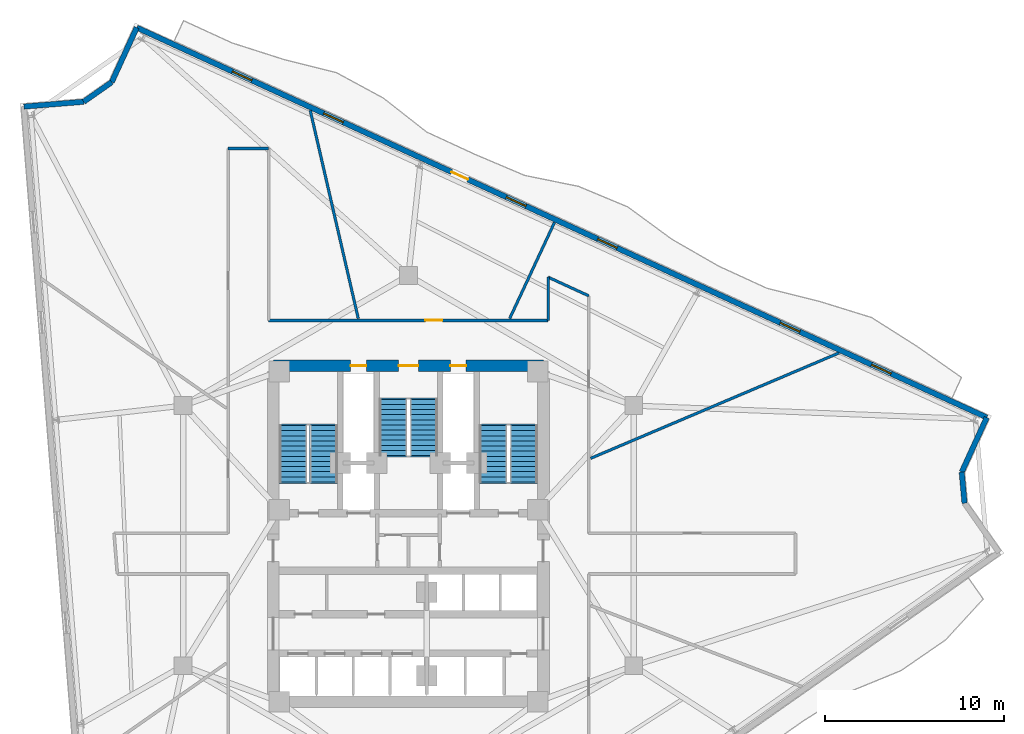
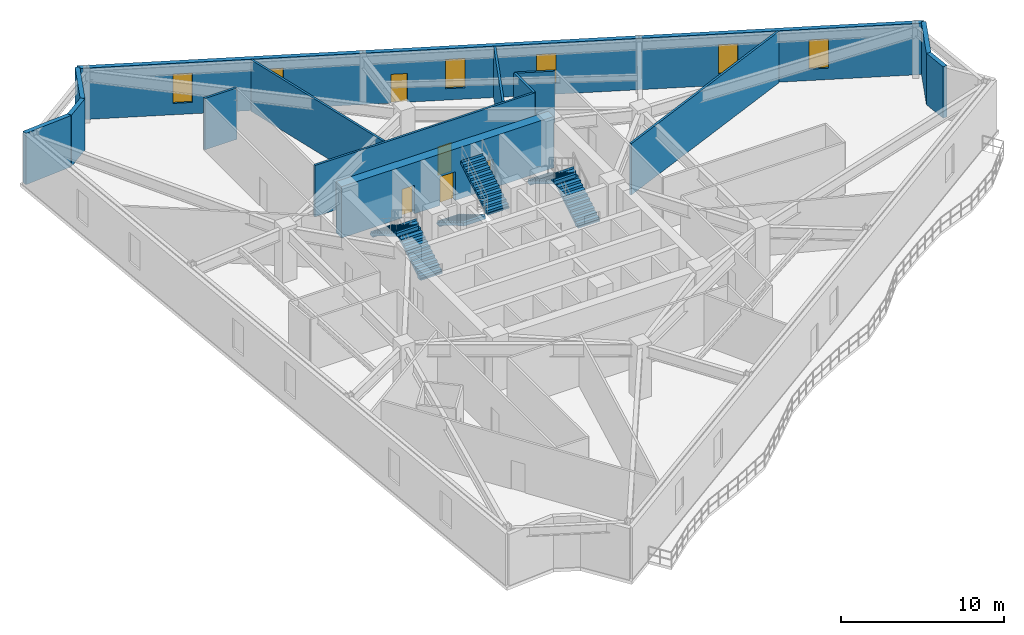
# One storey, part 7 of 10: 14 walls, 6 stair flights, 6 windows, 5 doors, 11 openings, 3 elements without a shape of their own.
"""IFC4 building model written with IfcOpenShell, lengths in metres."""

from ifc_helpers import new_model, si_unit, direction, frame, frame_2d, origin, place, context, subcontext, project, spatial, polyline, rectangle, outline, extrude, material, layer, layer_set, type_object, element, fill, aggregate, save


model = new_model("IFC4")

# Units and contexts
model_context = context("Model", 3, precision=1e-05, world=origin(), true_north=direction((0.0, 1.0)))
body_context = subcontext(model_context, "Body", "Model", "MODEL_VIEW")
ifc_project = project(units=[si_unit("LENGTHUNIT", "METRE"), si_unit("AREAUNIT", "SQUARE_METRE"), si_unit("VOLUMEUNIT", "CUBIC_METRE"), si_unit("PLANEANGLEUNIT", "RADIAN"), si_unit("MASSUNIT", "GRAM", prefix="KILO")], contexts=[model_context])

# Site, building, storey
site_placement = place(None, origin())
site = spatial("IfcSite", under=ifc_project, at=site_placement, CompositionType="ELEMENT")
building_placement = place(site_placement, origin())
building = spatial("IfcBuilding", under=site, at=building_placement, Name="Apsidion Concourse Tower", CompositionType="ELEMENT")
storey_placement = place(building_placement, frame((0.0, 0.0, 210.60009765625)))
storey = spatial("IfcBuildingStorey", under=building, at=storey_placement, Name="L49", CompositionType="ELEMENT", Elevation=210.60009765625)

# Wall, openings, door, windows
ifc_material_1 = material(Name="Precast concrete C40/50", Category="concrete")
ifc_layer_1 = layer(ifc_material_1, 0.300048828125)
ifc_layer_set_1 = layer_set([ifc_layer_1], Name="Precast concrete C40/50")
wall_type_1 = type_object("IfcWallType", Name="WL-EXT-300", PredefinedType="STANDARD", material=ifc_layer_set_1)
wall_1_placement = place(storey_placement, frame((-15.1435546875, 28.32177734375, 0.0), z_axis=(0.0, 0.0, 1.0), x_axis=(0.908932099953, -0.416944166136, 0.0)))
wall_1 = element("IfcWall", 1, at=wall_1_placement, inside=storey, type_object=wall_type_1, Name="L49 Precast Stone Facade Wall 01", PredefinedType="STANDARD", context=body_context, shape_type="SweptSolid", body=[
    extrude(rectangle(XDim=52.127685546875, YDim=0.300048828125, at=frame_2d((26.06396484375, 0.0))), origin(), (0.0, 0.0, 1.0), 3.849853515625),
])
opening_1_placement = place(wall_1_placement, frame((19.30859375, 0.0, 0.0)))
opening_1 = element("IfcOpeningElement", 2, at=opening_1_placement, cuts=wall_1, Name="Opening D-T1L", PredefinedType="OPENING", context=body_context, shape_type="SweptSolid", body=[
    extrude(rectangle(XDim=1.0, YDim=2.14990234375, at=frame_2d((0.5, 1.074951171875))), frame((0.0, 0.16015625, 0.0), z_axis=(0.0, -1.0, 0.0), x_axis=(1.0, 0.0, 0.0)), (0.0, 0.0, 1.0), 0.320068359375),
])
opening_2_placement = place(wall_1_placement, frame((5.864013671875, 0.0, 0.85009765625)))
opening_2 = element("IfcOpeningElement", 3, at=opening_2_placement, cuts=wall_1, Name="Opening WN-06", PredefinedType="OPENING", context=body_context, shape_type="SweptSolid", body=[
    extrude(rectangle(XDim=1.199951171875, YDim=2.199951171875, at=frame_2d((0.60009765625, 1.10009765625))), frame((0.0, 0.16015625, 0.0), z_axis=(0.0, -1.0, 0.0), x_axis=(1.0, 0.0, 0.0)), (0.0, 0.0, 1.0), 0.320068359375),
])
opening_3_placement = place(wall_1_placement, frame((11.4638671875, 0.0, 0.85009765625)))
opening_3 = element("IfcOpeningElement", 4, at=opening_3_placement, cuts=wall_1, Name="Opening WN-06", PredefinedType="OPENING", context=body_context, shape_type="SweptSolid", body=[
    extrude(rectangle(XDim=1.199951171875, YDim=2.199951171875, at=frame_2d((0.60009765625, 1.10009765625))), frame((0.0, 0.16015625, 0.0), z_axis=(0.0, -1.0, 0.0), x_axis=(1.0, 0.0, 0.0)), (0.0, 0.0, 1.0), 0.320068359375),
])
opening_4_placement = place(wall_1_placement, frame((22.663818359375, 0.0, 0.85009765625)))
opening_4 = element("IfcOpeningElement", 5, at=opening_4_placement, cuts=wall_1, Name="Opening WN-06", PredefinedType="OPENING", context=body_context, shape_type="SweptSolid", body=[
    extrude(rectangle(XDim=1.199951171875, YDim=2.199951171875, at=frame_2d((0.60009765625, 1.10009765625))), frame((0.0, 0.16015625, 0.0), z_axis=(0.0, -1.0, 0.0), x_axis=(1.0, 0.0, 0.0)), (0.0, 0.0, 1.0), 0.320068359375),
])
opening_5_placement = place(wall_1_placement, frame((28.263916015625, 0.0, 0.85009765625)))
opening_5 = element("IfcOpeningElement", 6, at=opening_5_placement, cuts=wall_1, Name="Opening WN-06", PredefinedType="OPENING", context=body_context, shape_type="SweptSolid", body=[
    extrude(rectangle(XDim=1.199951171875, YDim=2.199951171875, at=frame_2d((0.60009765625, 1.10009765625))), frame((0.0, 0.16015625, 0.0), z_axis=(0.0, -1.0, 0.0), x_axis=(1.0, 0.0, 0.0)), (0.0, 0.0, 1.0), 0.320068359375),
])
opening_6_placement = place(wall_1_placement, frame((39.4638671875, 0.0, 0.85009765625)))
opening_6 = element("IfcOpeningElement", 7, at=opening_6_placement, cuts=wall_1, Name="Opening WN-06", PredefinedType="OPENING", context=body_context, shape_type="SweptSolid", body=[
    extrude(rectangle(XDim=1.199951171875, YDim=2.199951171875, at=frame_2d((0.60009765625, 1.10009765625))), frame((0.0, 0.16015625, 0.0), z_axis=(0.0, -1.0, 0.0), x_axis=(1.0, 0.0, 0.0)), (0.0, 0.0, 1.0), 0.320068359375),
])
opening_7_placement = place(wall_1_placement, frame((45.06396484375, 0.0, 0.85009765625)))
opening_7 = element("IfcOpeningElement", 8, at=opening_7_placement, cuts=wall_1, Name="Opening WN-06", PredefinedType="OPENING", context=body_context, shape_type="SweptSolid", body=[
    extrude(rectangle(XDim=1.199951171875, YDim=2.199951171875, at=frame_2d((0.60009765625, 1.10009765625))), frame((0.0, 0.16015625, 0.0), z_axis=(0.0, -1.0, 0.0), x_axis=(1.0, 0.0, 0.0)), (0.0, 0.0, 1.0), 0.320068359375),
])
ifc_material_2 = material(Name="Anodised aluminium EN AW-6063 T6", Category="aluminium")
door_type_1 = type_object("IfcDoorType", Name="DR-TER-1022L", OperationType="SINGLE_SWING_LEFT", PredefinedType="DOOR", material=ifc_material_2)
door_1_placement = place(opening_1_placement, origin())
door_1 = element("IfcDoor", 9, at=door_1_placement, inside=storey, type_object=door_type_1, Name="L49 Balcony Access Door 2", OperationType="SINGLE_SWING_LEFT", OverallHeight=2.14990234375, OverallWidth=1.0, PredefinedType="DOOR", context=body_context, shape_type="SweptSolid", body=[
    extrude(rectangle(XDim=1.0, YDim=2.14990234375, at=frame_2d((0.5, 1.074951171875))), frame((0.0, 0.02490234375, 0.0), z_axis=(0.0, -1.0, 0.0), x_axis=(1.0, 0.0, 0.0)), (0.0, 0.0, 1.0), 0.050048828125),
])
fill(opening_1, door_1)
ifc_material_3 = material(Name="Insulated laminated low-E glass", Category="glass")
window_type = type_object("IfcWindowType", Name="WN-OFF-1224", PartitioningType="SINGLE_PANEL", PredefinedType="WINDOW", material=ifc_material_3)
window_1_placement = place(opening_2_placement, origin())
window_1 = element("IfcWindow", 10, at=window_1_placement, inside=storey, type_object=window_type, Name="L49 Punched Facade Window 1-01", OverallHeight=2.199951171875, OverallWidth=1.199951171875, PartitioningType="SINGLE_PANEL", PredefinedType="WINDOW", context=body_context, shape_type="SweptSolid", body=[
    extrude(rectangle(XDim=1.199951171875, YDim=2.199951171875, at=frame_2d((0.60009765625, 1.10009765625))), frame((0.0, 0.030029296875, 0.0), z_axis=(0.0, -1.0, 0.0), x_axis=(1.0, 0.0, 0.0)), (0.0, 0.0, 1.0), 0.06005859375),
])
fill(opening_2, window_1)
window_2_placement = place(opening_3_placement, origin())
window_2 = element("IfcWindow", 11, at=window_2_placement, inside=storey, type_object=window_type, Name="L49 Punched Facade Window 1-02", OverallHeight=2.199951171875, OverallWidth=1.199951171875, PartitioningType="SINGLE_PANEL", PredefinedType="WINDOW", context=body_context, shape_type="SweptSolid", body=[
    extrude(rectangle(XDim=1.199951171875, YDim=2.199951171875, at=frame_2d((0.60009765625, 1.10009765625))), frame((0.0, 0.030029296875, 0.0), z_axis=(0.0, -1.0, 0.0), x_axis=(1.0, 0.0, 0.0)), (0.0, 0.0, 1.0), 0.06005859375),
])
fill(opening_3, window_2)
window_3_placement = place(opening_4_placement, origin())
window_3 = element("IfcWindow", 12, at=window_3_placement, inside=storey, type_object=window_type, Name="L49 Punched Facade Window 1-04", OverallHeight=2.199951171875, OverallWidth=1.199951171875, PartitioningType="SINGLE_PANEL", PredefinedType="WINDOW", context=body_context, shape_type="SweptSolid", body=[
    extrude(rectangle(XDim=1.199951171875, YDim=2.199951171875, at=frame_2d((0.60009765625, 1.10009765625))), frame((0.0, 0.030029296875, 0.0), z_axis=(0.0, -1.0, 0.0), x_axis=(1.0, 0.0, 0.0)), (0.0, 0.0, 1.0), 0.06005859375),
])
fill(opening_4, window_3)
window_4_placement = place(opening_5_placement, origin())
window_4 = element("IfcWindow", 13, at=window_4_placement, inside=storey, type_object=window_type, Name="L49 Punched Facade Window 1-05", OverallHeight=2.199951171875, OverallWidth=1.199951171875, PartitioningType="SINGLE_PANEL", PredefinedType="WINDOW", context=body_context, shape_type="SweptSolid", body=[
    extrude(rectangle(XDim=1.199951171875, YDim=2.199951171875, at=frame_2d((0.60009765625, 1.10009765625))), frame((0.0, 0.030029296875, 0.0), z_axis=(0.0, -1.0, 0.0), x_axis=(1.0, 0.0, 0.0)), (0.0, 0.0, 1.0), 0.06005859375),
])
fill(opening_5, window_4)
window_5_placement = place(opening_6_placement, origin())
window_5 = element("IfcWindow", 14, at=window_5_placement, inside=storey, type_object=window_type, Name="L49 Punched Facade Window 1-07", OverallHeight=2.199951171875, OverallWidth=1.199951171875, PartitioningType="SINGLE_PANEL", PredefinedType="WINDOW", context=body_context, shape_type="SweptSolid", body=[
    extrude(rectangle(XDim=1.199951171875, YDim=2.199951171875, at=frame_2d((0.60009765625, 1.10009765625))), frame((0.0, 0.030029296875, 0.0), z_axis=(0.0, -1.0, 0.0), x_axis=(1.0, 0.0, 0.0)), (0.0, 0.0, 1.0), 0.06005859375),
])
fill(opening_6, window_5)
window_6_placement = place(opening_7_placement, origin())
window_6 = element("IfcWindow", 15, at=window_6_placement, inside=storey, type_object=window_type, Name="L49 Punched Facade Window 1-08", OverallHeight=2.199951171875, OverallWidth=1.199951171875, PartitioningType="SINGLE_PANEL", PredefinedType="WINDOW", context=body_context, shape_type="SweptSolid", body=[
    extrude(rectangle(XDim=1.199951171875, YDim=2.199951171875, at=frame_2d((0.60009765625, 1.10009765625))), frame((0.0, 0.030029296875, 0.0), z_axis=(0.0, -1.0, 0.0), x_axis=(1.0, 0.0, 0.0)), (0.0, 0.0, 1.0), 0.06005859375),
])
fill(opening_7, window_6)

# Walls
wall_2_placement = place(storey_placement, frame((32.237060546875, 6.58740234375, 0.0), z_axis=(0.0, 0.0, 1.0), x_axis=(-0.416956203263, -0.908926578201, 0.0)))
element("IfcWall", 16, at=wall_2_placement, inside=storey, type_object=wall_type_1, Name="L49 Precast Stone Facade Wall 02", PredefinedType="STANDARD", context=body_context, shape_type="SweptSolid", body=[
    extrude(rectangle(XDim=3.345703125, YDim=0.300048828125, at=frame_2d((1.6728515625, 0.0))), origin(), (0.0, 0.0, 1.0), 3.849853515625),
])
wall_3_placement = place(storey_placement, frame((30.842041015625, 3.54638671875, 0.0), z_axis=(0.0, 0.0, 1.0), x_axis=(0.09030850916, -0.995913838228, 0.0)))
element("IfcWall", 17, at=wall_3_placement, inside=storey, type_object=wall_type_1, Name="L49 Precast Stone Facade Wall 03", PredefinedType="STANDARD", context=body_context, shape_type="SweptSolid", body=[
    extrude(rectangle(XDim=1.74365234375, YDim=0.300048828125, at=frame_2d((0.871826171875, 0.0))), origin(), (0.0, 0.0, 1.0), 3.849853515625),
])
wall_4_placement = place(storey_placement, frame((-21.4345703125, 23.9169921875, 0.0), z_axis=(0.0, 0.0, 1.0), x_axis=(0.99672253381, 0.080896171692, 0.0)))
element("IfcWall", 18, at=wall_4_placement, inside=storey, type_object=wall_type_1, Name="L49 Precast Stone Facade Wall 10", PredefinedType="STANDARD", context=body_context, shape_type="SweptSolid", body=[
    extrude(rectangle(XDim=3.346923828125, YDim=0.300048828125, at=frame_2d((1.67333984375, 0.0))), origin(), (0.0, 0.0, 1.0), 3.849853515625),
])
wall_5_placement = place(storey_placement, frame((-18.0986328125, 24.187744140625, 0.0), z_axis=(0.0, 0.0, 1.0), x_axis=(0.819147570989, 0.573582824833, 0.0)))
element("IfcWall", 19, at=wall_5_placement, inside=storey, type_object=wall_type_1, Name="L49 Precast Stone Facade Wall 11", PredefinedType="STANDARD", context=body_context, shape_type="SweptSolid", body=[
    extrude(rectangle(XDim=1.90380859375, YDim=0.300048828125, at=frame_2d((0.951904296875, 0.0))), origin(), (0.0, 0.0, 1.0), 3.849853515625),
])
wall_6_placement = place(storey_placement, frame((-16.5390625, 25.27978515625, 0.0), z_axis=(0.0, 0.0, 1.0), x_axis=(0.416966150663, 0.908922014917, 0.0)))
element("IfcWall", 20, at=wall_6_placement, inside=storey, type_object=wall_type_1, Name="L49 Precast Stone Facade Wall 12", PredefinedType="STANDARD", context=body_context, shape_type="SweptSolid", body=[
    extrude(rectangle(XDim=3.346923828125, YDim=0.300048828125, at=frame_2d((1.67333984375, 0.0))), origin(), (0.0, 0.0, 1.0), 3.849853515625),
])
ifc_material_4 = material(Name="Gypsum plasterboard partition")
ifc_layer_2 = layer(ifc_material_4, 0.14990234375)
ifc_layer_set_2 = layer_set([ifc_layer_2], Name="Gypsum plasterboard partition")
wall_type_2 = type_object("IfcWallType", Name="WL-INT-PAR-150", PredefinedType="PARTITIONING", material=ifc_layer_set_2)
wall_7_placement = place(storey_placement, frame((-10.050048828125, 21.580078125, 0.0), z_axis=(0.0, 0.0, 1.0), x_axis=(1.0, 0.0, 0.0)))
element("IfcWall", 21, at=wall_7_placement, inside=storey, type_object=wall_type_2, Name="L49 Interior Partition WL-L49-CORR-11", PredefinedType="PARTITIONING", context=body_context, shape_type="SweptSolid", body=[
    extrude(rectangle(XDim=2.260009765625, YDim=0.14990234375, at=frame_2d((1.1298828125, 0.0))), origin(), (0.0, 0.0, 1.0), 3.849853515625),
])

# Wall, opening, door
wall_8_placement = place(storey_placement, frame((-7.7900390625, 12.0, 0.0), z_axis=(0.0, 0.0, 1.0), x_axis=(1.0, 0.0, 0.0)))
wall_8 = element("IfcWall", 22, at=wall_8_placement, inside=storey, type_object=wall_type_2, Name="L49 Interior Partition WL-L49-CORR-13", PredefinedType="PARTITIONING", context=body_context, shape_type="SweptSolid", body=[
    extrude(rectangle(XDim=15.580078125, YDim=0.14990234375, at=frame_2d((7.7900390625, 0.0))), origin(), (0.0, 0.0, 1.0), 3.849853515625),
])
opening_8_placement = place(wall_8_placement, frame((8.737548828125, 0.0, 0.0)))
opening_8 = element("IfcOpeningElement", 23, at=opening_8_placement, cuts=wall_8, Name="Opening D-01R", PredefinedType="OPENING", context=body_context, shape_type="SweptSolid", body=[
    extrude(rectangle(XDim=0.949951171875, YDim=2.14990234375, at=frame_2d((0.47509765625, 1.074951171875))), frame((0.0, 0.0849609375, 0.0), z_axis=(0.0, -1.0, 0.0), x_axis=(1.0, 0.0, 0.0)), (0.0, 0.0, 1.0), 0.169921875),
])
ifc_material_5 = material(Name="Brushed stainless steel 316", Category="steel")
door_type_2 = type_object("IfcDoorType", Name="DR-INT-D01R", OperationType="SINGLE_SWING_RIGHT", PredefinedType="DOOR", material=ifc_material_5)
door_2_placement = place(opening_8_placement, origin())
door_2 = element("IfcDoor", 24, at=door_2_placement, inside=storey, type_object=door_type_2, Name="L49 Corridor Entry Door 06", OperationType="SINGLE_SWING_RIGHT", OverallHeight=2.14990234375, OverallWidth=0.949951171875, PredefinedType="DOOR", context=body_context, shape_type="SweptSolid", body=[
    extrude(rectangle(XDim=0.949951171875, YDim=2.14990234375, at=frame_2d((0.47509765625, 1.074951171875))), frame((0.0, 0.02490234375, 0.0), z_axis=(0.0, -1.0, 0.0), x_axis=(1.0, 0.0, 0.0)), (0.0, 0.0, 1.0), 0.050048828125),
])
fill(opening_8, door_2)

# Walls
wall_9_placement = place(storey_placement, frame((7.7900390625, 12.0, 0.0), z_axis=(0.0, 0.0, 1.0), x_axis=(0.0, 1.0, 0.0)))
element("IfcWall", 25, at=wall_9_placement, inside=storey, type_object=wall_type_2, Name="L49 Interior Partition WL-L49-CORR-14", PredefinedType="PARTITIONING", context=body_context, shape_type="SweptSolid", body=[
    extrude(rectangle(XDim=2.40771484375, YDim=0.14990234375, at=frame_2d((1.203857421875, 0.0))), origin(), (0.0, 0.0, 1.0), 3.849853515625),
])
wall_10_placement = place(storey_placement, frame((7.7900390625, 14.40771484375, 0.0), z_axis=(0.0, 0.0, 1.0), x_axis=(0.908908252736, -0.416996148792, 0.0)))
element("IfcWall", 26, at=wall_10_placement, inside=storey, type_object=wall_type_2, Name="L49 Interior Partition WL-L49-CORR-15", PredefinedType="PARTITIONING", context=body_context, shape_type="SweptSolid", body=[
    extrude(rectangle(XDim=2.486572265625, YDim=0.14990234375, at=frame_2d((1.2431640625, 0.0))), origin(), (0.0, 0.0, 1.0), 3.849853515625),
])
wall_11_placement = place(storey_placement, frame((10.155029296875, 4.310546875, 0.0), z_axis=(0.0, 0.0, 1.0), x_axis=(0.920508355485, 0.390722878115, 0.0)))
element("IfcWall", 27, at=wall_11_placement, inside=storey, type_object=wall_type_2, Name="L49 Interior Partition WL-L49-RAD-01-1", PredefinedType="PARTITIONING", context=body_context, shape_type="SweptSolid", body=[
    extrude(rectangle(XDim=15.036865234375, YDim=0.14990234375, at=frame_2d((7.5185546875, 0.0))), origin(), (0.0, 0.0, 1.0), 3.849853515625),
])
wall_12_placement = place(storey_placement, frame((5.644775390625, 12.10498046875, 0.0), z_axis=(0.0, 0.0, 1.0), x_axis=(0.422613952509, 0.906309796452, 0.0)))
element("IfcWall", 28, at=wall_12_placement, inside=storey, type_object=wall_type_2, Name="L49 Interior Partition WL-L49-RAD-02-1", PredefinedType="PARTITIONING", context=body_context, shape_type="SweptSolid", body=[
    extrude(rectangle(XDim=5.907470703125, YDim=0.14990234375, at=frame_2d((2.95361328125, 0.0))), origin(), (0.0, 0.0, 1.0), 3.849853515625),
])
wall_13_placement = place(storey_placement, frame((-2.794677734375, 12.10498046875, 0.0), z_axis=(0.0, 0.0, 1.0), x_axis=(-0.224940388898, 0.974372527036, 0.0)))
element("IfcWall", 29, at=wall_13_placement, inside=storey, type_object=wall_type_2, Name="L49 Interior Partition WL-L49-RAD-03-1", PredefinedType="PARTITIONING", context=body_context, shape_type="SweptSolid", body=[
    extrude(rectangle(XDim=11.904296875, YDim=0.14990234375, at=frame_2d((5.9521484375, 0.0))), origin(), (0.0, 0.0, 1.0), 3.849853515625),
])

# Wall, openings, doors
ifc_material_6 = material(Name="Concrete C50/60", Category="concrete")
ifc_layer_3 = layer(ifc_material_6, 0.64990234375)
ifc_layer_set_3 = layer_set([ifc_layer_3], Name="Concrete C50/60")
wall_type_3 = type_object("IfcWallType", Name="WL-SH-650", PredefinedType="SHEAR", material=ifc_layer_set_3)
wall_14_placement = place(storey_placement, frame((-7.52490234375, 9.47509765625, 0.0), z_axis=(0.0, 0.0, 1.0), x_axis=(1.0, 0.0, 0.0)))
wall_14 = element("IfcWall", 30, at=wall_14_placement, inside=storey, type_object=wall_type_3, Name="L49 Central Core Shear Wall N", PredefinedType="SHEAR", context=body_context, shape_type="SweptSolid", body=[
    extrude(rectangle(XDim=15.0498046875, YDim=0.64990234375, at=frame_2d((7.52490234375, 0.0))), origin(), (0.0, 0.0, 1.0), 3.849853515625),
])
opening_9_placement = place(wall_14_placement, frame((6.97509765625, 0.0, 0.0)))
opening_9 = element("IfcOpeningElement", 31, at=opening_9_placement, cuts=wall_14, Name="Opening D-STL", PredefinedType="OPENING", context=body_context, shape_type="SweptSolid", body=[
    extrude(rectangle(XDim=1.10009765625, YDim=2.14990234375, at=frame_2d((0.550048828125, 1.074951171875))), frame((0.0, 0.3349609375, 0.0), z_axis=(0.0, -1.0, 0.0), x_axis=(1.0, 0.0, 0.0)), (0.0, 0.0, 1.0), 0.669921875),
])
opening_10_placement = place(wall_14_placement, frame((4.304931640625, 0.0, 0.0)))
opening_10 = element("IfcOpeningElement", 32, at=opening_10_placement, cuts=wall_14, Name="Opening D-05L", PredefinedType="OPENING", context=body_context, shape_type="SweptSolid", body=[
    extrude(rectangle(XDim=0.8798828125, YDim=2.14990234375, at=frame_2d((0.43994140625, 1.074951171875))), frame((0.0, 0.3349609375, 0.0), z_axis=(0.0, -1.0, 0.0), x_axis=(1.0, 0.0, 0.0)), (0.0, 0.0, 1.0), 0.669921875),
])
opening_11_placement = place(wall_14_placement, frame((9.864990234375, 0.0, 0.0)))
opening_11 = element("IfcOpeningElement", 33, at=opening_11_placement, cuts=wall_14, Name="Opening D-05R", PredefinedType="OPENING", context=body_context, shape_type="SweptSolid", body=[
    extrude(rectangle(XDim=0.8798828125, YDim=2.14990234375, at=frame_2d((0.43994140625, 1.074951171875))), frame((0.0, 0.3349609375, 0.0), z_axis=(0.0, -1.0, 0.0), x_axis=(1.0, 0.0, 0.0)), (0.0, 0.0, 1.0), 0.669921875),
])
door_type_3 = type_object("IfcDoorType", Name="DR-INT-D05L", OperationType="SINGLE_SWING_LEFT", PredefinedType="DOOR", material=ifc_material_5)
door_3_placement = place(opening_10_placement, origin())
door_3 = element("IfcDoor", 34, at=door_3_placement, inside=storey, type_object=door_type_3, Name="L49 Electrical Riser Shaft Access Door", OperationType="SINGLE_SWING_LEFT", OverallHeight=2.14990234375, OverallWidth=0.8798828125, PredefinedType="DOOR", context=body_context, shape_type="SweptSolid", body=[
    extrude(rectangle(XDim=0.8798828125, YDim=2.14990234375, at=frame_2d((0.43994140625, 1.074951171875))), frame((0.0, 0.02490234375, 0.0), z_axis=(0.0, -1.0, 0.0), x_axis=(1.0, 0.0, 0.0)), (0.0, 0.0, 1.0), 0.050048828125),
])
fill(opening_10, door_3)
door_type_4 = type_object("IfcDoorType", Name="DR-INT-D05R", OperationType="SINGLE_SWING_RIGHT", PredefinedType="DOOR", material=ifc_material_5)
door_4_placement = place(opening_11_placement, origin())
door_4 = element("IfcDoor", 35, at=door_4_placement, inside=storey, type_object=door_type_4, Name="L49 Mechanical Riser Shaft Access Door", OperationType="SINGLE_SWING_RIGHT", OverallHeight=2.14990234375, OverallWidth=0.8798828125, PredefinedType="DOOR", context=body_context, shape_type="SweptSolid", body=[
    extrude(rectangle(XDim=0.8798828125, YDim=2.14990234375, at=frame_2d((0.43994140625, 1.074951171875))), frame((0.0, 0.02490234375, 0.0), z_axis=(0.0, -1.0, 0.0), x_axis=(1.0, 0.0, 0.0)), (0.0, 0.0, 1.0), 0.050048828125),
])
fill(opening_11, door_4)
door_type_5 = type_object("IfcDoorType", Name="DR-INT-ST1L", OperationType="SINGLE_SWING_LEFT", PredefinedType="DOOR", material=ifc_material_5)
door_5_placement = place(opening_9_placement, origin())
door_5 = element("IfcDoor", 36, at=door_5_placement, inside=storey, type_object=door_type_5, Name="L49 Core Exit Stair ST3 Door", OperationType="SINGLE_SWING_LEFT", OverallHeight=2.14990234375, OverallWidth=1.10009765625, PredefinedType="DOOR", context=body_context, shape_type="SweptSolid", body=[
    extrude(rectangle(XDim=1.10009765625, YDim=2.14990234375, at=frame_2d((0.550048828125, 1.074951171875))), frame((0.0, 0.02490234375, 0.0), z_axis=(0.0, -1.0, 0.0), x_axis=(1.0, 0.0, 0.0)), (0.0, 0.0, 1.0), 0.050048828125),
])
fill(opening_9, door_5)

# Stair, stair flights
stair_type = type_object("IfcStairType", Name="ST-DL-1550", PredefinedType="HALF_TURN_STAIR", material=ifc_material_1)
stair_1_placement = place(storey_placement, origin())
stair_1 = element("IfcStair", 37, at=stair_1_placement, inside=storey, type_object=stair_type, Name="L49 Protected Core Exit Stair ST1", PredefinedType="HALF_TURN_STAIR")
stair_flight_type = type_object("IfcStairFlightType", Name="SFL-RC-1550", PredefinedType="STRAIGHT", material=ifc_material_1)
stair_flight_1_placement = place(storey_placement, frame((-4.72509765625, 3.0, 0.0), z_axis=(0.0, 0.0, 1.0), x_axis=(0.0, 1.0, 0.0)))
stair_flight_1 = element("IfcStairFlight", 38, at=stair_flight_1_placement, type_object=stair_flight_type, Name="ST1 flight 1", NumberOfRisers=12, NumberOfTreads=11, PredefinedType="STRAIGHT", RiserHeight=0.170833333, TreadLength=0.285, context=body_context, shape_type="SweptSolid", body=[
    extrude(outline(polyline([(-0.080078125, -0.1123046875), (-0.080078125, 0.0), (0.0, 0.0), (0.0, 0.1708984375), (0.284912109375, 0.1708984375), (0.284912109375, 0.341552734375), (0.570068359375, 0.341552734375), (0.570068359375, 0.512451171875), (0.85498046875, 0.512451171875), (0.85498046875, 0.683349609375), (1.139892578125, 0.683349609375), (1.139892578125, 0.854248046875), (1.425048828125, 0.854248046875), (1.425048828125, 1.02490234375), (1.7099609375, 1.02490234375), (1.7099609375, 1.19580078125), (1.9951171875, 1.19580078125), (1.9951171875, 1.36669921875), (2.280029296875, 1.36669921875), (2.280029296875, 1.53759765625), (2.56494140625, 1.53759765625), (2.56494140625, 1.708251953125), (2.85009765625, 1.708251953125), (2.85009765625, 1.879150390625), (3.135009765625, 1.879150390625), (3.135009765625, 2.050048828125), (3.215087890625, 1.964599609375), (3.215087890625, 1.704345703125), (3.135009765625, 1.704345703125), (0.29150390625, 0.0), (0.29150390625, -0.1123046875), (-0.080078125, -0.1123046875)])), frame((0.0, 0.77490234375, 0.0), z_axis=(0.0, -1.0, 0.0), x_axis=(1.0, 0.0, 0.0)), (0.0, 0.0, 1.0), 1.550048828125),
])
stair_flight_2_placement = place(storey_placement, frame((-6.425048828125, 6.135009765625, 2.0498046875), z_axis=(0.0, 0.0, 1.0), x_axis=(0.0, -1.0, 0.0)))
stair_flight_2 = element("IfcStairFlight", 39, at=stair_flight_2_placement, type_object=stair_flight_type, Name="ST1 flight 2", NumberOfRisers=12, NumberOfTreads=11, PredefinedType="STRAIGHT", RiserHeight=0.170833333, TreadLength=0.285, context=body_context, shape_type="SweptSolid", body=[
    extrude(outline(polyline([(-0.080078125, -0.1123046875), (-0.080078125, 0.0), (0.0, 0.0), (0.0, 0.1708984375), (0.284912109375, 0.1708984375), (0.284912109375, 0.341552734375), (0.570068359375, 0.341552734375), (0.570068359375, 0.512451171875), (0.85498046875, 0.512451171875), (0.85498046875, 0.683349609375), (1.139892578125, 0.683349609375), (1.139892578125, 0.854248046875), (1.425048828125, 0.854248046875), (1.425048828125, 1.02490234375), (1.7099609375, 1.02490234375), (1.7099609375, 1.19580078125), (1.9951171875, 1.19580078125), (1.9951171875, 1.36669921875), (2.280029296875, 1.36669921875), (2.280029296875, 1.53759765625), (2.56494140625, 1.53759765625), (2.56494140625, 1.708251953125), (2.85009765625, 1.708251953125), (2.85009765625, 1.879150390625), (3.135009765625, 1.879150390625), (3.135009765625, 2.050048828125), (3.215087890625, 1.964599609375), (3.215087890625, 1.704345703125), (3.135009765625, 1.704345703125), (0.29150390625, 0.0), (0.29150390625, -0.1123046875), (-0.080078125, -0.1123046875)])), frame((0.0, 0.77490234375, 0.0), z_axis=(0.0, -1.0, 0.0), x_axis=(1.0, 0.0, 0.0)), (0.0, 0.0, 1.0), 1.550048828125),
])
aggregate(stair_1, [stair_flight_1, stair_flight_2])

stair_2_placement = place(storey_placement, origin())
stair_2 = element("IfcStair", 40, at=stair_2_placement, inside=storey, type_object=stair_type, Name="L49 Protected Core Exit Stair ST2", PredefinedType="HALF_TURN_STAIR")
stair_flight_3_placement = place(storey_placement, frame((6.425048828125, 3.0, 0.0), z_axis=(0.0, 0.0, 1.0), x_axis=(0.0, 1.0, 0.0)))
stair_flight_3 = element("IfcStairFlight", 41, at=stair_flight_3_placement, type_object=stair_flight_type, Name="ST2 flight 1", NumberOfRisers=12, NumberOfTreads=11, PredefinedType="STRAIGHT", RiserHeight=0.170833333, TreadLength=0.285, context=body_context, shape_type="SweptSolid", body=[
    extrude(outline(polyline([(-0.080078125, -0.1123046875), (-0.080078125, 0.0), (0.0, 0.0), (0.0, 0.1708984375), (0.284912109375, 0.1708984375), (0.284912109375, 0.341552734375), (0.570068359375, 0.341552734375), (0.570068359375, 0.512451171875), (0.85498046875, 0.512451171875), (0.85498046875, 0.683349609375), (1.139892578125, 0.683349609375), (1.139892578125, 0.854248046875), (1.425048828125, 0.854248046875), (1.425048828125, 1.02490234375), (1.7099609375, 1.02490234375), (1.7099609375, 1.19580078125), (1.9951171875, 1.19580078125), (1.9951171875, 1.36669921875), (2.280029296875, 1.36669921875), (2.280029296875, 1.53759765625), (2.56494140625, 1.53759765625), (2.56494140625, 1.708251953125), (2.85009765625, 1.708251953125), (2.85009765625, 1.879150390625), (3.135009765625, 1.879150390625), (3.135009765625, 2.050048828125), (3.215087890625, 1.964599609375), (3.215087890625, 1.704345703125), (3.135009765625, 1.704345703125), (0.29150390625, 0.0), (0.29150390625, -0.1123046875), (-0.080078125, -0.1123046875)])), frame((0.0, 0.77490234375, 0.0), z_axis=(0.0, -1.0, 0.0), x_axis=(1.0, 0.0, 0.0)), (0.0, 0.0, 1.0), 1.550048828125),
])
stair_flight_4_placement = place(storey_placement, frame((4.72509765625, 6.135009765625, 2.0498046875), z_axis=(0.0, 0.0, 1.0), x_axis=(0.0, -1.0, 0.0)))
stair_flight_4 = element("IfcStairFlight", 42, at=stair_flight_4_placement, type_object=stair_flight_type, Name="ST2 flight 2", NumberOfRisers=12, NumberOfTreads=11, PredefinedType="STRAIGHT", RiserHeight=0.170833333, TreadLength=0.285, context=body_context, shape_type="SweptSolid", body=[
    extrude(outline(polyline([(-0.080078125, -0.1123046875), (-0.080078125, 0.0), (0.0, 0.0), (0.0, 0.1708984375), (0.284912109375, 0.1708984375), (0.284912109375, 0.341552734375), (0.570068359375, 0.341552734375), (0.570068359375, 0.512451171875), (0.85498046875, 0.512451171875), (0.85498046875, 0.683349609375), (1.139892578125, 0.683349609375), (1.139892578125, 0.854248046875), (1.425048828125, 0.854248046875), (1.425048828125, 1.02490234375), (1.7099609375, 1.02490234375), (1.7099609375, 1.19580078125), (1.9951171875, 1.19580078125), (1.9951171875, 1.36669921875), (2.280029296875, 1.36669921875), (2.280029296875, 1.53759765625), (2.56494140625, 1.53759765625), (2.56494140625, 1.708251953125), (2.85009765625, 1.708251953125), (2.85009765625, 1.879150390625), (3.135009765625, 1.879150390625), (3.135009765625, 2.050048828125), (3.215087890625, 1.964599609375), (3.215087890625, 1.704345703125), (3.135009765625, 1.704345703125), (0.29150390625, 0.0), (0.29150390625, -0.1123046875), (-0.080078125, -0.1123046875)])), frame((0.0, 0.77490234375, 0.0), z_axis=(0.0, -1.0, 0.0), x_axis=(1.0, 0.0, 0.0)), (0.0, 0.0, 1.0), 1.550048828125),
])
aggregate(stair_2, [stair_flight_3, stair_flight_4])

stair_3_placement = place(storey_placement, origin())
stair_3 = element("IfcStair", 43, at=stair_3_placement, inside=storey, type_object=stair_type, Name="L49 Protected Core Exit Stair ST3", PredefinedType="HALF_TURN_STAIR")
stair_flight_5_placement = place(storey_placement, frame((-0.85009765625, 7.60009765625, 0.0), z_axis=(0.0, 0.0, 1.0), x_axis=(0.0, -1.0, 0.0)))
stair_flight_5 = element("IfcStairFlight", 44, at=stair_flight_5_placement, type_object=stair_flight_type, Name="ST3 flight 1", NumberOfRisers=12, NumberOfTreads=11, PredefinedType="STRAIGHT", RiserHeight=0.170833333, TreadLength=0.285, context=body_context, shape_type="SweptSolid", body=[
    extrude(outline(polyline([(-0.080078125, -0.1123046875), (-0.080078125, 0.0), (0.0, 0.0), (0.0, 0.1708984375), (0.284912109375, 0.1708984375), (0.284912109375, 0.341552734375), (0.570068359375, 0.341552734375), (0.570068359375, 0.512451171875), (0.85498046875, 0.512451171875), (0.85498046875, 0.683349609375), (1.139892578125, 0.683349609375), (1.139892578125, 0.854248046875), (1.425048828125, 0.854248046875), (1.425048828125, 1.02490234375), (1.7099609375, 1.02490234375), (1.7099609375, 1.19580078125), (1.9951171875, 1.19580078125), (1.9951171875, 1.36669921875), (2.280029296875, 1.36669921875), (2.280029296875, 1.53759765625), (2.56494140625, 1.53759765625), (2.56494140625, 1.708251953125), (2.85009765625, 1.708251953125), (2.85009765625, 1.879150390625), (3.135009765625, 1.879150390625), (3.135009765625, 2.050048828125), (3.215087890625, 1.964599609375), (3.215087890625, 1.704345703125), (3.135009765625, 1.704345703125), (0.29150390625, 0.0), (0.29150390625, -0.1123046875), (-0.080078125, -0.1123046875)])), frame((0.0, 0.77490234375, 0.0), z_axis=(0.0, -1.0, 0.0), x_axis=(1.0, 0.0, 0.0)), (0.0, 0.0, 1.0), 1.550048828125),
])
stair_flight_6_placement = place(storey_placement, frame((0.85009765625, 4.465087890625, 2.0498046875), z_axis=(0.0, 0.0, 1.0), x_axis=(0.0, 1.0, 0.0)))
stair_flight_6 = element("IfcStairFlight", 45, at=stair_flight_6_placement, type_object=stair_flight_type, Name="ST3 flight 2", NumberOfRisers=12, NumberOfTreads=11, PredefinedType="STRAIGHT", RiserHeight=0.170833333, TreadLength=0.285, context=body_context, shape_type="SweptSolid", body=[
    extrude(outline(polyline([(-0.080078125, -0.1123046875), (-0.080078125, 0.0), (0.0, 0.0), (0.0, 0.1708984375), (0.284912109375, 0.1708984375), (0.284912109375, 0.341552734375), (0.570068359375, 0.341552734375), (0.570068359375, 0.512451171875), (0.85498046875, 0.512451171875), (0.85498046875, 0.683349609375), (1.139892578125, 0.683349609375), (1.139892578125, 0.854248046875), (1.425048828125, 0.854248046875), (1.425048828125, 1.02490234375), (1.7099609375, 1.02490234375), (1.7099609375, 1.19580078125), (1.9951171875, 1.19580078125), (1.9951171875, 1.36669921875), (2.280029296875, 1.36669921875), (2.280029296875, 1.53759765625), (2.56494140625, 1.53759765625), (2.56494140625, 1.708251953125), (2.85009765625, 1.708251953125), (2.85009765625, 1.879150390625), (3.135009765625, 1.879150390625), (3.135009765625, 2.050048828125), (3.215087890625, 1.964599609375), (3.215087890625, 1.704345703125), (3.135009765625, 1.704345703125), (0.29150390625, 0.0), (0.29150390625, -0.1123046875), (-0.080078125, -0.1123046875)])), frame((0.0, 0.77490234375, 0.0), z_axis=(0.0, -1.0, 0.0), x_axis=(1.0, 0.0, 0.0)), (0.0, 0.0, 1.0), 1.550048828125),
])
aggregate(stair_3, [stair_flight_5, stair_flight_6])

save(model, "model.ifc")
